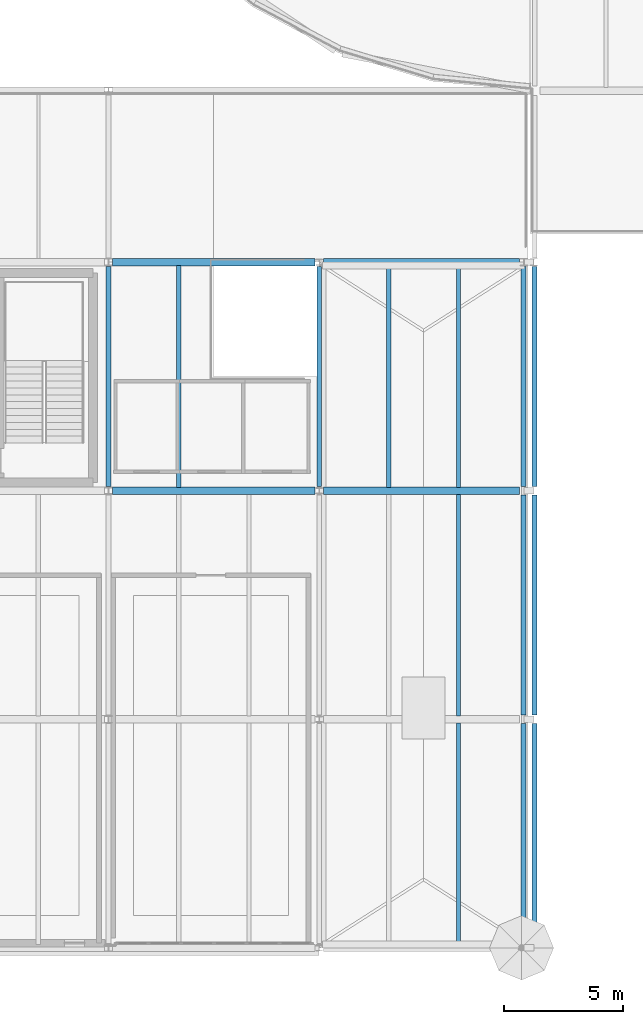
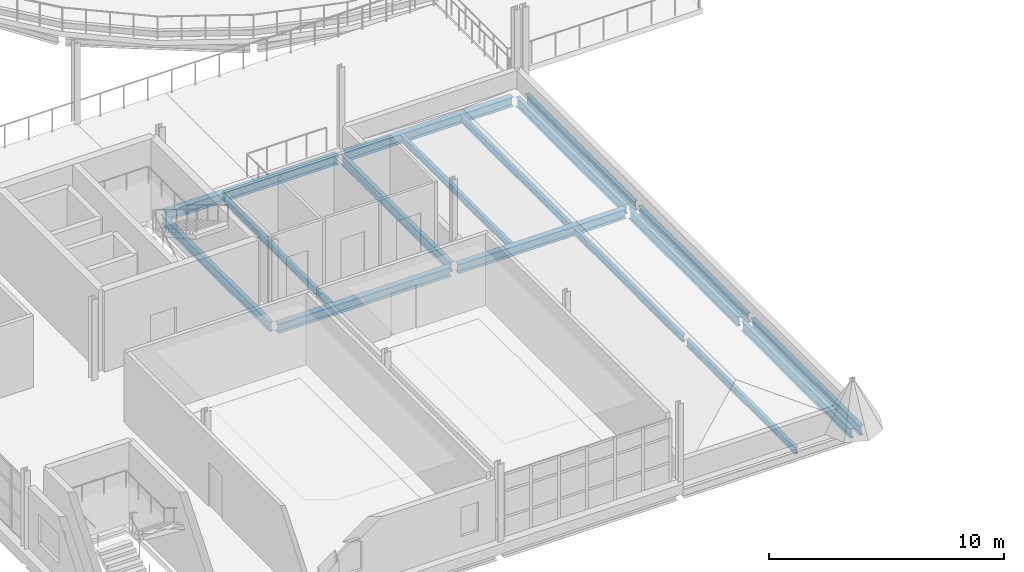
# One storey, part 19 of 58: 17 beams.
"""IFC4 building model written with IfcOpenShell, lengths in metres."""

from ifc_helpers import new_model, si_unit, direction, frame, origin, origin_2d, place, context, subcontext, project, spatial, i_section, extrude, material, material_profile, profile_set, type_object, element, save


model = new_model("IFC4")

# Units and contexts
model_context = context("Model", 3, precision=1e-05, world=origin(), true_north=direction((0.0, 1.0)))
body_context = subcontext(model_context, "Body", "Model", "MODEL_VIEW")
ifc_project = project(units=[si_unit("LENGTHUNIT", "METRE"), si_unit("AREAUNIT", "SQUARE_METRE"), si_unit("VOLUMEUNIT", "CUBIC_METRE"), si_unit("PLANEANGLEUNIT", "RADIAN"), si_unit("MASSUNIT", "GRAM", prefix="KILO")], contexts=[model_context])

# Site, building, storey
site_placement = place(None, origin())
site = spatial("IfcSite", under=ifc_project, at=site_placement, CompositionType="ELEMENT")
building_placement = place(site_placement, origin())
building = spatial("IfcBuilding", under=site, at=building_placement, Name="Yeouljin Market Hall", CompositionType="ELEMENT")
storey_placement = place(building_placement, frame((0.0, 0.0, 10.800048828125)))
storey = spatial("IfcBuildingStorey", under=building, at=storey_placement, Name="L02", CompositionType="ELEMENT", Elevation=10.800048828125)

# Beams
ifc_material_1 = material(Name="Steel SM355", Category="steel")
ifc_material_profile_1 = material_profile(ifc_material_1, i_section(OverallWidth=0.199951171875, OverallDepth=0.5, WebThickness=0.010009765625, FlangeThickness=0.01611328125, FilletRadius=0.02001953125, at=origin_2d()), Name="H-500x200x10x16")
ifc_profile_set_1 = profile_set([ifc_material_profile_1], Name="Steel SM355")
beam_type_1 = type_object("IfcBeamType", Name="Beam_H-500x200x10x16", PredefinedType="BEAM", material=ifc_profile_set_1)
for number, where, z_axis, x_axis, name in (
    (1, (17.699951171875, 19.375, -0.51513671875), (0.0, 1.0, 0.0), (-1.0, 0.0, 0.0), "Primary beam BM-L02-Y087"),
    (2, (26.550048828125, 19.375, -0.51513671875), (0.0, 1.0, 0.0), (-1.0, 0.0, 0.0), "Primary beam BM-L02-Y092"),
    (3, (35.1298828125, 0.175048828125, -0.51513671875), (0.0, 1.0, 0.0), (-1.0, 0.0, 0.0), "Primary beam BM-L02-Y093"),
    (4, (35.1298828125, 9.77490234375, -0.51513671875), (0.0, 1.0, 0.0), (-1.0, 0.0, 0.0), "Primary beam BM-L02-Y094"),
    (5, (35.1298828125, 19.375, -0.51513671875), (0.0, 1.0, 0.0), (-1.0, 0.0, 0.0), "Primary beam BM-L02-Y095"),
    (6, (35.590087890625, 0.175048828125, -0.51513671875), (0.0, 1.0, 0.0), (-1.0, 0.0, 0.0), "Primary beam BM-L02-Y096"),
    (7, (35.590087890625, 9.77490234375, -0.51513671875), (0.0, 1.0, 0.0), (-1.0, 0.0, 0.0), "Primary beam BM-L02-Y097"),
    (8, (35.590087890625, 19.375, -0.51513671875), (0.0, 1.0, 0.0), (-1.0, 0.0, 0.0), "Primary beam BM-L02-Y098"),
):
    element("IfcBeam", number, at=place(storey_placement, frame(where, z_axis=z_axis, x_axis=x_axis)), inside=storey, type_object=beam_type_1, Name=name, PredefinedType="BEAM", context=body_context, shape_type="SweptSolid", body=[
        extrude(i_section(OverallWidth=0.199951171875, OverallDepth=0.5, WebThickness=0.010009765625, FlangeThickness=0.01611328125, FilletRadius=0.02001953125, at=origin_2d()), origin(), (0.0, 0.0, 1.0), 9.25),
    ])
ifc_material_2 = material(Name="Steel SM355", Category="steel")
ifc_material_profile_2 = material_profile(ifc_material_2, i_section(OverallWidth=0.300048828125, OverallDepth=0.488037109375, WebThickness=0.010986328125, FlangeThickness=0.01806640625, FilletRadius=0.02197265625, at=origin_2d()), Name="H-488x300x11x18")
ifc_profile_set_2 = profile_set([ifc_material_profile_2], Name="Steel SM355")
beam_type_2 = type_object("IfcBeamType", Name="Girder_H-488x300x11x18", PredefinedType="USERDEFINED", material=ifc_profile_set_2)
beam_1_placement = place(storey_placement, frame((17.875, 19.199951171875, -0.509033203125), z_axis=(1.0, 0.0, 0.0), x_axis=(0.0, 1.0, 0.0)))
element("IfcBeam", 9, at=beam_1_placement, inside=storey, type_object=beam_type_2, Name="Primary girder GRD-L02-X019", ObjectType="GIRDER", PredefinedType="USERDEFINED", context=body_context, shape_type="SweptSolid", body=[
    extrude(i_section(OverallWidth=0.300048828125, OverallDepth=0.488037109375, WebThickness=0.010986328125, FlangeThickness=0.01806640625, FilletRadius=0.02197265625, at=origin_2d()), origin(), (0.0, 0.0, 1.0), 8.5),
])
beam_2_placement = place(storey_placement, frame((26.72509765625, 19.199951171875, -0.509033203125), z_axis=(1.0, 0.0, 0.0), x_axis=(0.0, 1.0, 0.0)))
element("IfcBeam", 10, at=beam_2_placement, inside=storey, type_object=beam_type_2, Name="Primary girder GRD-L02-X020", ObjectType="GIRDER", PredefinedType="USERDEFINED", context=body_context, shape_type="SweptSolid", body=[
    extrude(i_section(OverallWidth=0.300048828125, OverallDepth=0.488037109375, WebThickness=0.010986328125, FlangeThickness=0.01806640625, FilletRadius=0.02197265625, at=origin_2d()), origin(), (0.0, 0.0, 1.0), 8.22998046875),
])
beam_3_placement = place(storey_placement, frame((17.875, 28.800048828125, -0.509033203125), z_axis=(1.0, 0.0, 0.0), x_axis=(0.0, 1.0, 0.0)))
element("IfcBeam", 11, at=beam_3_placement, inside=storey, type_object=beam_type_2, Name="Primary girder GRD-L02-X027", ObjectType="GIRDER", PredefinedType="USERDEFINED", context=body_context, shape_type="SweptSolid", body=[
    extrude(i_section(OverallWidth=0.300048828125, OverallDepth=0.488037109375, WebThickness=0.010986328125, FlangeThickness=0.01806640625, FilletRadius=0.02197265625, at=origin_2d()), origin(), (0.0, 0.0, 1.0), 8.5),
])
beam_4_placement = place(storey_placement, frame((26.72509765625, 28.800048828125, -0.509033203125), z_axis=(1.0, 0.0, 0.0), x_axis=(0.0, 1.0, 0.0)))
element("IfcBeam", 12, at=beam_4_placement, inside=storey, type_object=beam_type_2, Name="Primary girder GRD-L02-X028", ObjectType="GIRDER", PredefinedType="USERDEFINED", context=body_context, shape_type="SweptSolid", body=[
    extrude(i_section(OverallWidth=0.300048828125, OverallDepth=0.488037109375, WebThickness=0.010986328125, FlangeThickness=0.01806640625, FilletRadius=0.02197265625, at=origin_2d()), origin(), (0.0, 0.0, 1.0), 8.22998046875),
])
ifc_material_3 = material(Name="Steel SM355", Category="steel")
ifc_material_profile_3 = material_profile(ifc_material_3, i_section(OverallWidth=0.175048828125, OverallDepth=0.35009765625, WebThickness=0.007080078125, FlangeThickness=0.010986328125, FilletRadius=0.013916015625, at=origin_2d()), Name="H-350x175x7x11")
ifc_profile_set_3 = profile_set([ifc_material_profile_3], Name="Steel SM355")
beam_type_3 = type_object("IfcBeamType", Name="Joist_H-350x175x7x11", PredefinedType="JOIST", material=ifc_profile_set_3)
beam_5_placement = place(storey_placement, frame((20.64990234375, 19.346923828125, -0.43994140625), z_axis=(0.0, 1.0, 0.0), x_axis=(-1.0, 0.0, 0.0)))
element("IfcBeam", 13, at=beam_5_placement, inside=storey, type_object=beam_type_3, Name="Secondary floor joist L02-018", PredefinedType="JOIST", context=body_context, shape_type="SweptSolid", body=[
    extrude(i_section(OverallWidth=0.175048828125, OverallDepth=0.35009765625, WebThickness=0.007080078125, FlangeThickness=0.010986328125, FilletRadius=0.013916015625, at=origin_2d()), origin(), (0.0, 0.0, 1.0), 9.30615234375),
])
for number, where, z_axis, x_axis, name in (
    (14, (32.396728515625, 0.14697265625, -0.43994140625), (0.0, 1.0, 0.0), (-1.0, 0.0, 0.0), "Secondary floor joist L02-020"),
    (15, (32.396728515625, 9.7470703125, -0.43994140625), (0.0, 1.0, 0.0), (-1.0, 0.0, 0.0), "Secondary floor joist L02-022"),
):
    element("IfcBeam", number, at=place(storey_placement, frame(where, z_axis=z_axis, x_axis=x_axis)), inside=storey, type_object=beam_type_3, Name=name, PredefinedType="JOIST", context=body_context, shape_type="SweptSolid", body=[
        extrude(i_section(OverallWidth=0.175048828125, OverallDepth=0.35009765625, WebThickness=0.007080078125, FlangeThickness=0.010986328125, FilletRadius=0.013916015625, at=origin_2d()), origin(), (0.0, 0.0, 1.0), 9.305908203125),
    ])
for number, where, z_axis, x_axis, name in (
    (16, (29.473388671875, 19.346923828125, -0.43994140625), (0.0, 1.0, 0.0), (-1.0, 0.0, 0.0), "Secondary floor joist L02-023"),
    (17, (32.396728515625, 19.346923828125, -0.43994140625), (0.0, 1.0, 0.0), (-1.0, 0.0, 0.0), "Secondary floor joist L02-024"),
):
    element("IfcBeam", number, at=place(storey_placement, frame(where, z_axis=z_axis, x_axis=x_axis)), inside=storey, type_object=beam_type_3, Name=name, PredefinedType="JOIST", context=body_context, shape_type="SweptSolid", body=[
        extrude(i_section(OverallWidth=0.175048828125, OverallDepth=0.35009765625, WebThickness=0.007080078125, FlangeThickness=0.010986328125, FilletRadius=0.013916015625, at=origin_2d()), origin(), (0.0, 0.0, 1.0), 9.30615234375),
    ])

save(model, "model.ifc")
